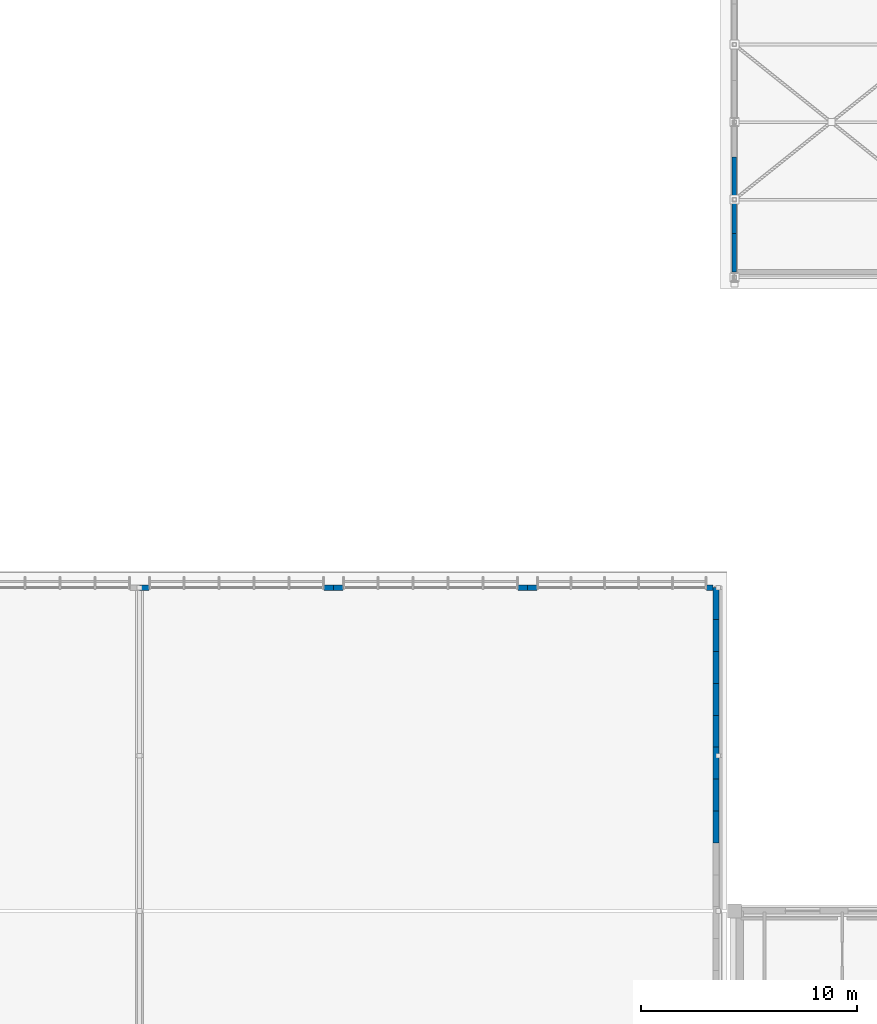
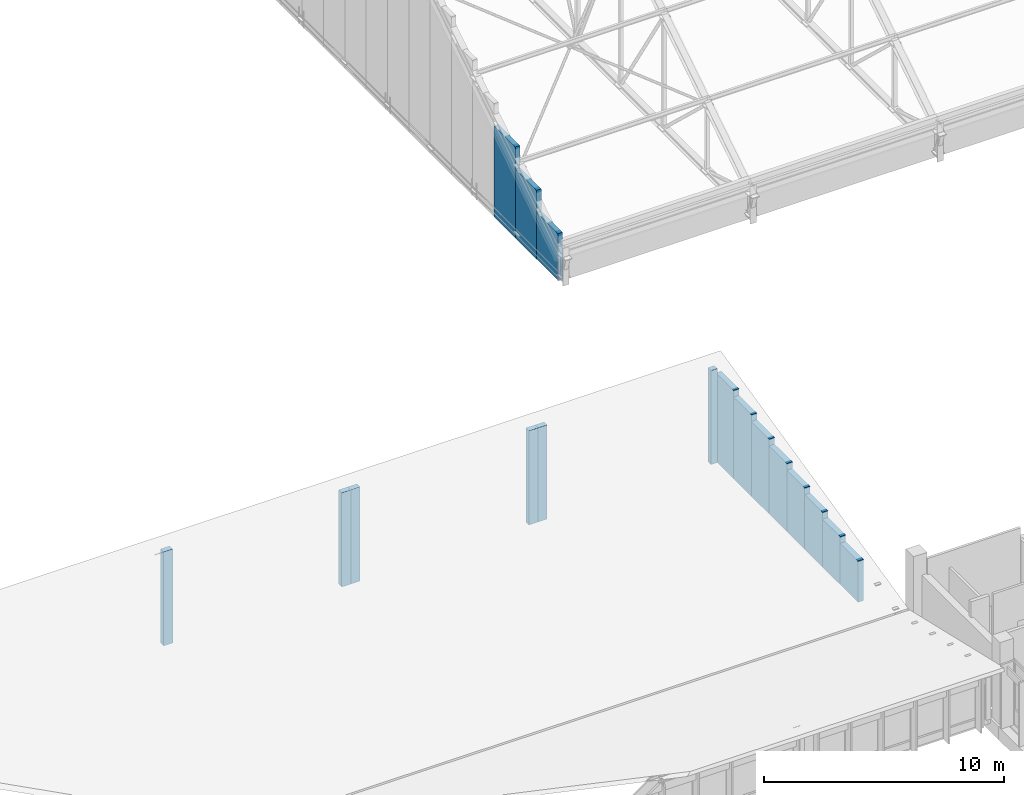
# One storey, part 165 of 182: 17 walls.
"""IFC4 building model written with IfcOpenShell, lengths in metres."""

from ifc_helpers import new_model, si_unit, direction, frame, frame_2d, origin, place, context, subcontext, project, spatial, rectangle, extrude, material, layer, layer_set, type_object, element, save


model = new_model("IFC4")

# Units and contexts
model_context = context("Model", 3, precision=1e-05, world=origin(), true_north=direction((0.0, 1.0)))
body_context = subcontext(model_context, "Body", "Model", "MODEL_VIEW")
ifc_project = project(units=[si_unit("LENGTHUNIT", "METRE"), si_unit("AREAUNIT", "SQUARE_METRE"), si_unit("VOLUMEUNIT", "CUBIC_METRE"), si_unit("PLANEANGLEUNIT", "RADIAN"), si_unit("MASSUNIT", "GRAM", prefix="KILO")], contexts=[model_context])

# Site, building, storey
site_placement = place(None, origin())
site = spatial("IfcSite", under=ifc_project, at=site_placement, CompositionType="ELEMENT")
building_placement = place(site_placement, origin())
building = spatial("IfcBuilding", under=site, at=building_placement, Name="Chiffa Square Polytechnic", CompositionType="ELEMENT")
storey_placement = place(building_placement, frame((0.0, 0.0, 9.60009765625)))
storey = spatial("IfcBuildingStorey", under=building, at=storey_placement, Name="L02", CompositionType="ELEMENT", Elevation=9.60009765625)

# Walls
ifc_material = material(Name="Precast concrete C40/50", Category="concrete")
ifc_layer_1 = layer(ifc_material, 0.219970703125, Name="Precast concrete C40/50")
ifc_layer_set_1 = layer_set([ifc_layer_1], Name="Precast concrete C40/50")
wall_type_1 = type_object("IfcWallType", Name="WL-EXT-PC220", PredefinedType="SOLIDWALL", material=ifc_layer_set_1)
wall_1_placement = place(storey_placement, frame((112.199951171875, 58.449951171875, 0.0), z_axis=(0.0, 0.0, 1.0), x_axis=(0.0, 1.0, 0.0)))
element("IfcWall", 1, at=wall_1_placement, inside=storey, type_object=wall_type_1, Name="Stepped gable infill wall WE-V2-GBL-W-01", PredefinedType="SOLIDWALL", context=body_context, shape_type="SweptSolid", body=[
    extrude(rectangle(XDim=1.775146484375, YDim=0.219970703125, at=frame_2d((0.8876953125, 0.0))), origin(), (0.0, 0.0, 1.0), 2.367919921875),
])
wall_2_placement = place(storey_placement, frame((112.199951171875, 60.22509765625, 0.0), z_axis=(0.0, 0.0, 1.0), x_axis=(0.0, 1.0, 0.0)))
element("IfcWall", 2, at=wall_2_placement, inside=storey, type_object=wall_type_1, Name="Stepped gable infill wall WE-V2-GBL-W-02", PredefinedType="SOLIDWALL", context=body_context, shape_type="SweptSolid", body=[
    extrude(rectangle(XDim=1.77490234375, YDim=0.219970703125, at=frame_2d((0.887451171875, 0.0))), origin(), (0.0, 0.0, 1.0), 3.495849609375),
])
wall_3_placement = place(storey_placement, frame((112.199951171875, 62.0, 0.0), z_axis=(0.0, 0.0, 1.0), x_axis=(0.0, 1.0, 0.0)))
element("IfcWall", 3, at=wall_3_placement, inside=storey, type_object=wall_type_1, Name="Stepped gable infill wall WE-V2-GBL-W-03", PredefinedType="SOLIDWALL", context=body_context, shape_type="SweptSolid", body=[
    extrude(rectangle(XDim=1.77490234375, YDim=0.219970703125, at=frame_2d((0.887451171875, 0.0))), origin(), (0.0, 0.0, 1.0), 4.6240234375),
])
ifc_layer_2 = layer(ifc_material, 0.260009765625, Name="Precast concrete C40/50")
ifc_layer_set_2 = layer_set([ifc_layer_2], Name="Precast concrete C40/50")
wall_type_2 = type_object("IfcWallType", Name="WL-EXT-PC260", PredefinedType="SOLIDWALL", material=ifc_layer_set_2)
wall_4_placement = place(storey_placement, frame((84.60009765625, 43.800048828125, 0.0), z_axis=(0.0, 0.0, 1.0), x_axis=(1.0, 0.0, 0.0)))
element("IfcWall", 4, at=wall_4_placement, inside=storey, type_object=wall_type_2, Name="Refectory north clerestory pier WE-V4-CLRN-P5L", PredefinedType="SOLIDWALL", context=body_context, shape_type="SweptSolid", body=[
    extrude(rectangle(XDim=0.43994140625, YDim=0.260009765625, at=frame_2d((0.219970703125, 0.0))), origin(), (0.0, 0.0, 1.0), 4.782958984375),
])
wall_5_placement = place(storey_placement, frame((93.159912109375, 43.800048828125, 0.0), z_axis=(0.0, 0.0, 1.0), x_axis=(1.0, 0.0, 0.0)))
element("IfcWall", 5, at=wall_5_placement, inside=storey, type_object=wall_type_2, Name="Refectory north clerestory pier WE-V4-CLRN-P5R", PredefinedType="SOLIDWALL", context=body_context, shape_type="SweptSolid", body=[
    extrude(rectangle(XDim=0.440185546875, YDim=0.260009765625, at=frame_2d((0.22021484375, 0.0))), origin(), (0.0, 0.0, 1.0), 4.782958984375),
])
wall_6_placement = place(storey_placement, frame((93.60009765625, 43.800048828125, 0.0), z_axis=(0.0, 0.0, 1.0), x_axis=(1.0, 0.0, 0.0)))
element("IfcWall", 6, at=wall_6_placement, inside=storey, type_object=wall_type_2, Name="Refectory north clerestory pier WE-V4-CLRN-P6L", PredefinedType="SOLIDWALL", context=body_context, shape_type="SweptSolid", body=[
    extrude(rectangle(XDim=0.43994140625, YDim=0.260009765625, at=frame_2d((0.219970703125, 0.0))), origin(), (0.0, 0.0, 1.0), 4.782958984375),
])
wall_7_placement = place(storey_placement, frame((102.159912109375, 43.800048828125, 0.0), z_axis=(0.0, 0.0, 1.0), x_axis=(1.0, 0.0, 0.0)))
element("IfcWall", 7, at=wall_7_placement, inside=storey, type_object=wall_type_2, Name="Refectory north clerestory pier WE-V4-CLRN-P6R", PredefinedType="SOLIDWALL", context=body_context, shape_type="SweptSolid", body=[
    extrude(rectangle(XDim=0.440185546875, YDim=0.260009765625, at=frame_2d((0.22021484375, 0.0))), origin(), (0.0, 0.0, 1.0), 4.782958984375),
])
wall_8_placement = place(storey_placement, frame((102.60009765625, 43.800048828125, 0.0), z_axis=(0.0, 0.0, 1.0), x_axis=(1.0, 0.0, 0.0)))
element("IfcWall", 8, at=wall_8_placement, inside=storey, type_object=wall_type_2, Name="Refectory north clerestory pier WE-V4-CLRN-P7L", PredefinedType="SOLIDWALL", context=body_context, shape_type="SweptSolid", body=[
    extrude(rectangle(XDim=0.43994140625, YDim=0.260009765625, at=frame_2d((0.219970703125, 0.0))), origin(), (0.0, 0.0, 1.0), 4.782958984375),
])
wall_9_placement = place(storey_placement, frame((110.909912109375, 43.800048828125, 0.0), z_axis=(0.0, 0.0, 1.0), x_axis=(1.0, 0.0, 0.0)))
element("IfcWall", 9, at=wall_9_placement, inside=storey, type_object=wall_type_2, Name="Refectory north clerestory pier WE-V4-CLRN-P7R", PredefinedType="SOLIDWALL", context=body_context, shape_type="SweptSolid", body=[
    extrude(rectangle(XDim=0.30810546875, YDim=0.260009765625, at=frame_2d((0.154052734375, 0.0))), origin(), (0.0, 0.0, 1.0), 4.782958984375),
])
wall_10_placement = place(storey_placement, frame((111.35009765625, 31.9599609375, 0.0), z_axis=(0.0, 0.0, 1.0), x_axis=(0.0, 1.0, 0.0)))
element("IfcWall", 10, at=wall_10_placement, inside=storey, type_object=wall_type_2, Name="Stepped gable infill wall WE-V4-GBL-E-08", PredefinedType="SOLIDWALL", context=body_context, shape_type="SweptSolid", body=[
    extrude(rectangle(XDim=1.47998046875, YDim=0.260009765625, at=frame_2d((0.739990234375, 0.0))), origin(), (0.0, 0.0, 1.0), 2.100830078125),
])
wall_11_placement = place(storey_placement, frame((111.35009765625, 33.43994140625, 0.0), z_axis=(0.0, 0.0, 1.0), x_axis=(0.0, 1.0, 0.0)))
element("IfcWall", 11, at=wall_11_placement, inside=storey, type_object=wall_type_2, Name="Stepped gable infill wall WE-V4-GBL-E-09", PredefinedType="SOLIDWALL", context=body_context, shape_type="SweptSolid", body=[
    extrude(rectangle(XDim=1.47998046875, YDim=0.260009765625, at=frame_2d((0.739990234375, 0.0))), origin(), (0.0, 0.0, 1.0), 2.44189453125),
])
wall_12_placement = place(storey_placement, frame((111.35009765625, 34.919921875, 0.0), z_axis=(0.0, 0.0, 1.0), x_axis=(0.0, 1.0, 0.0)))
element("IfcWall", 12, at=wall_12_placement, inside=storey, type_object=wall_type_2, Name="Stepped gable infill wall WE-V4-GBL-E-10", PredefinedType="SOLIDWALL", context=body_context, shape_type="SweptSolid", body=[
    extrude(rectangle(XDim=1.47998046875, YDim=0.260009765625, at=frame_2d((0.739990234375, 0.0))), origin(), (0.0, 0.0, 1.0), 2.783935546875),
])
wall_13_placement = place(storey_placement, frame((111.35009765625, 36.39990234375, 0.0), z_axis=(0.0, 0.0, 1.0), x_axis=(0.0, 1.0, 0.0)))
element("IfcWall", 13, at=wall_13_placement, inside=storey, type_object=wall_type_2, Name="Stepped gable infill wall WE-V4-GBL-E-11", PredefinedType="SOLIDWALL", context=body_context, shape_type="SweptSolid", body=[
    extrude(rectangle(XDim=1.47998046875, YDim=0.260009765625, at=frame_2d((0.739990234375, 0.0))), origin(), (0.0, 0.0, 1.0), 3.1259765625),
])
wall_14_placement = place(storey_placement, frame((111.35009765625, 37.8798828125, 0.0), z_axis=(0.0, 0.0, 1.0), x_axis=(0.0, 1.0, 0.0)))
element("IfcWall", 14, at=wall_14_placement, inside=storey, type_object=wall_type_2, Name="Stepped gable infill wall WE-V4-GBL-E-12", PredefinedType="SOLIDWALL", context=body_context, shape_type="SweptSolid", body=[
    extrude(rectangle(XDim=1.480224609375, YDim=0.260009765625, at=frame_2d((0.740234375, 0.0))), origin(), (0.0, 0.0, 1.0), 3.468017578125),
])
wall_15_placement = place(storey_placement, frame((111.35009765625, 39.360107421875, 0.0), z_axis=(0.0, 0.0, 1.0), x_axis=(0.0, 1.0, 0.0)))
element("IfcWall", 15, at=wall_15_placement, inside=storey, type_object=wall_type_2, Name="Stepped gable infill wall WE-V4-GBL-E-13", PredefinedType="SOLIDWALL", context=body_context, shape_type="SweptSolid", body=[
    extrude(rectangle(XDim=1.47998046875, YDim=0.260009765625, at=frame_2d((0.739990234375, 0.0))), origin(), (0.0, 0.0, 1.0), 3.808837890625),
])
wall_16_placement = place(storey_placement, frame((111.35009765625, 40.840087890625, 0.0), z_axis=(0.0, 0.0, 1.0), x_axis=(0.0, 1.0, 0.0)))
element("IfcWall", 16, at=wall_16_placement, inside=storey, type_object=wall_type_2, Name="Stepped gable infill wall WE-V4-GBL-E-14", PredefinedType="SOLIDWALL", context=body_context, shape_type="SweptSolid", body=[
    extrude(rectangle(XDim=1.47998046875, YDim=0.260009765625, at=frame_2d((0.739990234375, 0.0))), origin(), (0.0, 0.0, 1.0), 4.15087890625),
])
wall_17_placement = place(storey_placement, frame((111.35009765625, 42.320068359375, 0.0), z_axis=(0.0, 0.0, 1.0), x_axis=(0.0, 1.0, 0.0)))
element("IfcWall", 17, at=wall_17_placement, inside=storey, type_object=wall_type_2, Name="Stepped gable infill wall WE-V4-GBL-E-15", PredefinedType="SOLIDWALL", context=body_context, shape_type="SweptSolid", body=[
    extrude(rectangle(XDim=1.47998046875, YDim=0.260009765625, at=frame_2d((0.739990234375, 0.0))), origin(), (0.0, 0.0, 1.0), 4.492919921875),
])

save(model, "model.ifc")
